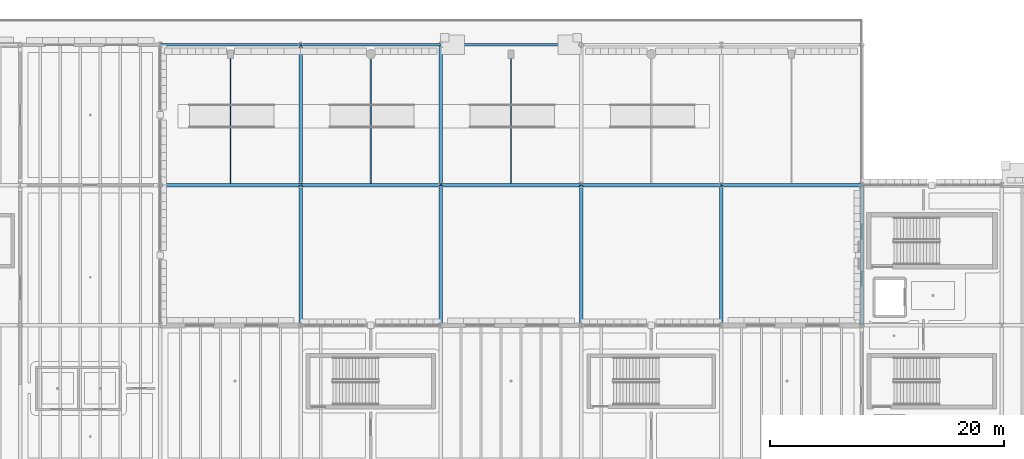
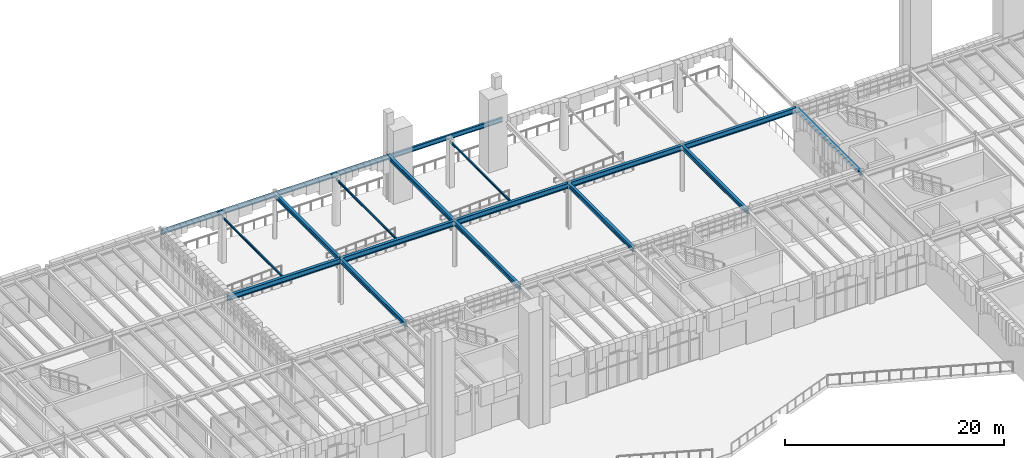
# One storey, part 31 of 103: 18 beams.
"""IFC4 building model written with IfcOpenShell, lengths in metres."""

from ifc_helpers import new_model, si_unit, direction, frame, origin, origin_2d, place, context, subcontext, project, spatial, i_section, extrude, material, material_profile, profile_set, type_object, element, save


model = new_model("IFC4")

# Units and contexts
model_context = context("Model", 3, precision=1e-05, world=origin(), true_north=direction((0.0, 1.0)))
body_context = subcontext(model_context, "Body", "Model", "MODEL_VIEW")
ifc_project = project(units=[si_unit("LENGTHUNIT", "METRE"), si_unit("AREAUNIT", "SQUARE_METRE"), si_unit("VOLUMEUNIT", "CUBIC_METRE"), si_unit("PLANEANGLEUNIT", "RADIAN"), si_unit("MASSUNIT", "GRAM", prefix="KILO")], contexts=[model_context])

# Site, building, storey
site_placement = place(None, origin())
site = spatial("IfcSite", under=ifc_project, at=site_placement, CompositionType="ELEMENT")
building_placement = place(site_placement, origin())
building = spatial("IfcBuilding", under=site, at=building_placement, Name="Zlatogorsky Bluff Art Gallery", CompositionType="ELEMENT")
storey_placement = place(building_placement, origin())
storey = spatial("IfcBuildingStorey", under=building, at=storey_placement, Name="L00", CompositionType="ELEMENT", Elevation=0.0)

# Beams
ifc_material = material(Name="Steel S355", Category="steel")
ifc_material_profile_1 = material_profile(ifc_material, i_section(OverallWidth=0.300048828125, OverallDepth=0.590087890625, WebThickness=0.012939453125, FlangeThickness=0.02490234375, FilletRadius=0.027099609375, at=origin_2d()), Name="HEA 600")
ifc_profile_set_1 = profile_set([ifc_material_profile_1], Name="Steel S355")
beam_type_1 = type_object("IfcBeamType", Name="Beam BM-05 HEA 600", PredefinedType="BEAM", material=ifc_profile_set_1)
for number, where, z_axis, x_axis, name in (
    (1, (60.014892578125, 108.0, 4.844970703125), (1.0, 0.0, 0.0), (0.0, 1.0, 0.0), "Primary girder BM-05 L00 F-G/11"),
    (2, (72.014892578125, 108.0, 4.844970703125), (1.0, 0.0, 0.0), (0.0, 1.0, 0.0), "Primary girder BM-05 L00 G-H/11"),
    (3, (84.014892578125, 108.0, 4.844970703125), (1.0, 0.0, 0.0), (0.0, 1.0, 0.0), "Primary girder BM-05 L00 H-J/11"),
    (4, (96.014892578125, 108.0, 4.844970703125), (1.0, 0.0, 0.0), (0.0, 1.0, 0.0), "Primary girder BM-05 L00 J-K/11"),
    (5, (108.014892578125, 108.0, 4.844970703125), (1.0, 0.0, 0.0), (0.0, 1.0, 0.0), "Primary girder BM-05 L00 K-L/11"),
):
    element("IfcBeam", number, at=place(storey_placement, frame(where, z_axis=z_axis, x_axis=x_axis)), inside=storey, type_object=beam_type_1, Name=name, PredefinedType="BEAM", context=body_context, shape_type="SweptSolid", body=[
        extrude(i_section(OverallWidth=0.300048828125, OverallDepth=0.590087890625, WebThickness=0.012939453125, FlangeThickness=0.02490234375, FilletRadius=0.027099609375, at=origin_2d()), origin(), (0.0, 0.0, 1.0), 11.97021484375),
    ])
ifc_material_profile_2 = material_profile(ifc_material, i_section(OverallWidth=0.300048828125, OverallDepth=0.489990234375, WebThickness=0.011962890625, FlangeThickness=0.02294921875, FilletRadius=0.027099609375, at=origin_2d()), Name="HEA 500")
ifc_profile_set_2 = profile_set([ifc_material_profile_2], Name="Steel S355")
beam_type_2 = type_object("IfcBeamType", Name="Beam BM-07 HEA 500", PredefinedType="BEAM", material=ifc_profile_set_2)
for number, where, z_axis, x_axis, name in (
    (6, (72.0, 96.014892578125, 4.89501953125), (0.0, 1.0, 0.0), (-1.0, 0.0, 0.0), "Primary girder BM-07 L00 G/10-11"),
    (7, (72.0, 108.014892578125, 4.89501953125), (0.0, 1.0, 0.0), (-1.0, 0.0, 0.0), "Primary girder BM-07 L00 G/11-12"),
    (8, (84.0, 96.014892578125, 4.89501953125), (0.0, 1.0, 0.0), (-1.0, 0.0, 0.0), "Primary girder BM-07 L00 H/10-11"),
    (9, (84.0, 108.014892578125, 4.89501953125), (0.0, 1.0, 0.0), (-1.0, 0.0, 0.0), "Primary girder BM-07 L00 H/11-12"),
    (10, (96.0, 96.014892578125, 4.89501953125), (0.0, 1.0, 0.0), (-1.0, 0.0, 0.0), "Primary girder BM-07 L00 J/10-11"),
    (11, (108.0, 96.014892578125, 4.89501953125), (0.0, 1.0, 0.0), (-1.0, 0.0, 0.0), "Primary girder BM-07 L00 K/10-11"),
):
    element("IfcBeam", number, at=place(storey_placement, frame(where, z_axis=z_axis, x_axis=x_axis)), inside=storey, type_object=beam_type_2, Name=name, PredefinedType="BEAM", context=body_context, shape_type="SweptSolid", body=[
        extrude(i_section(OverallWidth=0.300048828125, OverallDepth=0.489990234375, WebThickness=0.011962890625, FlangeThickness=0.02294921875, FilletRadius=0.027099609375, at=origin_2d()), origin(), (0.0, 0.0, 1.0), 11.97021484375),
    ])
ifc_material_profile_3 = material_profile(ifc_material, i_section(OverallWidth=0.300048828125, OverallDepth=0.389892578125, WebThickness=0.010986328125, FlangeThickness=0.01904296875, FilletRadius=0.027099609375, at=origin_2d()), Name="HEA 400")
ifc_profile_set_3 = profile_set([ifc_material_profile_3], Name="Steel S355")
beam_type_3 = type_object("IfcBeamType", Name="Beam BM-09 HEA 400", PredefinedType="BEAM", material=ifc_profile_set_3)
beam_placement = place(storey_placement, frame((120.0, 96.014892578125, 4.945068359375), z_axis=(0.0, 1.0, 0.0), x_axis=(-1.0, 0.0, 0.0)))
element("IfcBeam", 12, at=beam_placement, inside=storey, type_object=beam_type_3, Name="Primary girder BM-09 L00 L/10-11", PredefinedType="BEAM", context=body_context, shape_type="SweptSolid", body=[
    extrude(i_section(OverallWidth=0.300048828125, OverallDepth=0.389892578125, WebThickness=0.010986328125, FlangeThickness=0.01904296875, FilletRadius=0.027099609375, at=origin_2d()), origin(), (0.0, 0.0, 1.0), 11.97021484375),
])
ifc_material_profile_4 = material_profile(ifc_material, i_section(OverallWidth=0.1201171875, OverallDepth=0.239990234375, WebThickness=0.006103515625, FlangeThickness=0.009765625, FilletRadius=0.014892578125, at=origin_2d()), Name="IPE 240")
ifc_profile_set_4 = profile_set([ifc_material_profile_4], Name="Steel S355")
beam_type_4 = type_object("IfcBeamType", Name="Beam LN-02 IPE 240", PredefinedType="LINTEL", material=ifc_profile_set_4)
for number, where, z_axis, x_axis, name in (
    (13, (66.0, 108.14990234375, 4.989990234375), (0.0, 1.0, 0.0), (-1.0, 0.0, 0.0), "Colonnade tie beam 1"),
    (14, (78.0, 108.14990234375, 4.989990234375), (0.0, 1.0, 0.0), (-1.0, 0.0, 0.0), "Colonnade tie beam 2"),
    (15, (90.0, 108.14990234375, 4.989990234375), (0.0, 1.0, 0.0), (-1.0, 0.0, 0.0), "Colonnade tie beam 3"),
):
    element("IfcBeam", number, at=place(storey_placement, frame(where, z_axis=z_axis, x_axis=x_axis)), inside=storey, type_object=beam_type_4, Name=name, PredefinedType="LINTEL", context=body_context, shape_type="SweptSolid", body=[
        extrude(i_section(OverallWidth=0.1201171875, OverallDepth=0.239990234375, WebThickness=0.006103515625, FlangeThickness=0.009765625, FilletRadius=0.014892578125, at=origin_2d()), origin(), (0.0, 0.0, 1.0), 11.050048828125),
    ])
ifc_material_profile_5 = material_profile(ifc_material, i_section(OverallWidth=0.199951171875, OverallDepth=0.5, WebThickness=0.01025390625, FlangeThickness=0.01611328125, FilletRadius=0.02099609375, at=origin_2d()), Name="IPE 500")
ifc_profile_set_5 = profile_set([ifc_material_profile_5], Name="Steel S355")
beam_type_5 = type_object("IfcBeamType", Name="Beam SP-01 IPE 500", PredefinedType="SPANDREL", material=ifc_profile_set_5)
for number, where, z_axis, x_axis, name in (
    (16, (60.014892578125, 120.0, 4.889892578125), (1.0, 0.0, 0.0), (0.0, 1.0, 0.0), "Primary girder SP-01 L00 F-G/12"),
    (17, (72.014892578125, 120.0, 4.889892578125), (1.0, 0.0, 0.0), (0.0, 1.0, 0.0), "Primary girder SP-01 L00 G-H/12"),
    (18, (84.014892578125, 120.0, 4.889892578125), (1.0, 0.0, 0.0), (0.0, 1.0, 0.0), "Primary girder SP-01 L00 H-J/12"),
):
    element("IfcBeam", number, at=place(storey_placement, frame(where, z_axis=z_axis, x_axis=x_axis)), inside=storey, type_object=beam_type_5, Name=name, PredefinedType="SPANDREL", context=body_context, shape_type="SweptSolid", body=[
        extrude(i_section(OverallWidth=0.199951171875, OverallDepth=0.5, WebThickness=0.01025390625, FlangeThickness=0.01611328125, FilletRadius=0.02099609375, at=origin_2d()), origin(), (0.0, 0.0, 1.0), 11.97021484375),
    ])

save(model, "model.ifc")
